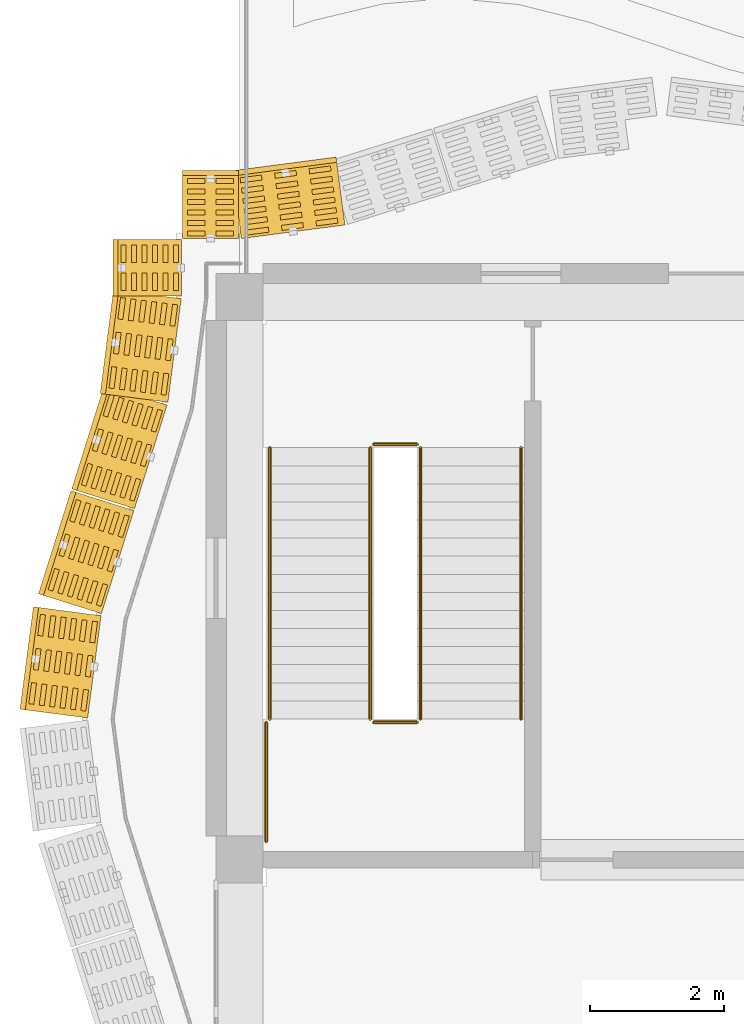
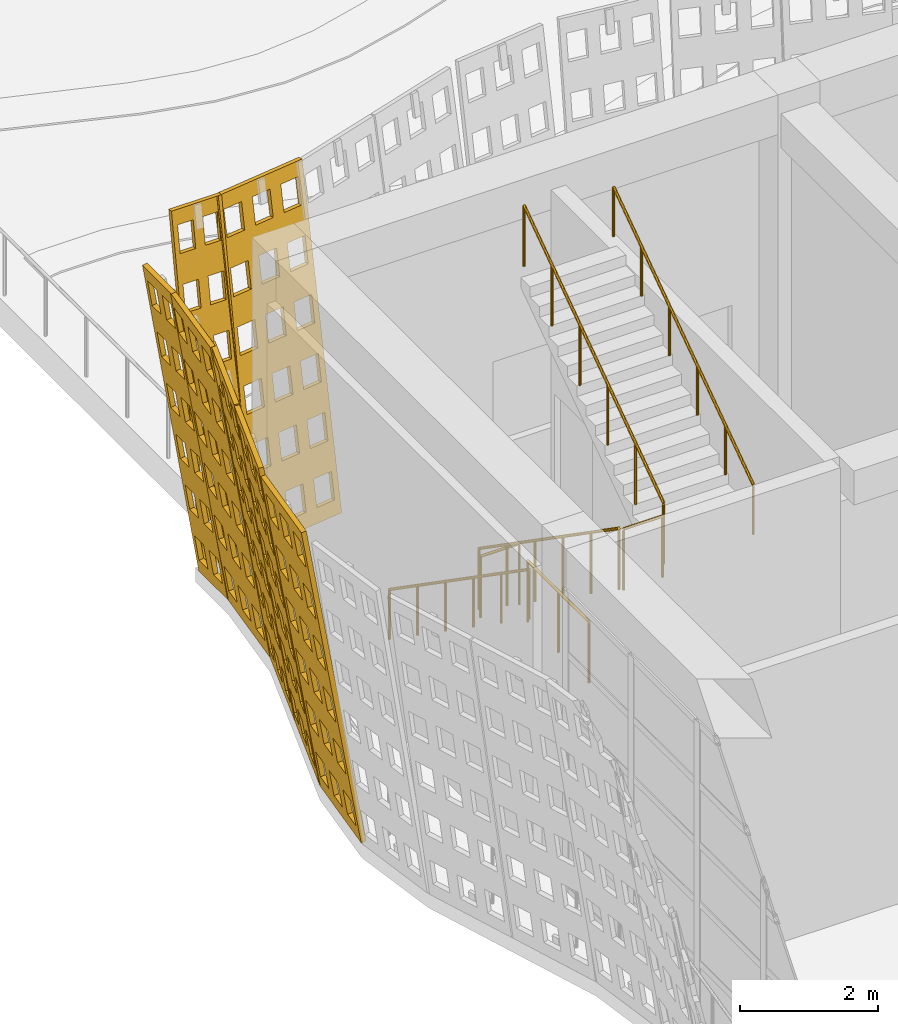
# One storey, part 158 of 210: 7 coverings, 7 railings.
"""IFC4 building model written with IfcOpenShell, lengths in metres."""

from ifc_helpers import new_model, si_unit, direction, frame, origin, origin_2d, place, context, subcontext, project, spatial, polyline, circle, outline, extrude, material, layer, layer_set, type_object, element, save


model = new_model("IFC4")

# Units and contexts
model_context = context("Model", 3, precision=1e-05, world=origin(), true_north=direction((0.0, 1.0)))
body_context = subcontext(model_context, "Body", "Model", "MODEL_VIEW")
ifc_project = project(units=[si_unit("LENGTHUNIT", "METRE"), si_unit("AREAUNIT", "SQUARE_METRE"), si_unit("VOLUMEUNIT", "CUBIC_METRE"), si_unit("PLANEANGLEUNIT", "RADIAN"), si_unit("MASSUNIT", "GRAM", prefix="KILO")], contexts=[model_context])

# Site, building, storey
site_placement = place(None, origin())
site = spatial("IfcSite", under=ifc_project, at=site_placement, CompositionType="ELEMENT")
building_placement = place(site_placement, origin())
building = spatial("IfcBuilding", under=site, at=building_placement, Name="Rain Tree Exposition and Congress Centre", CompositionType="ELEMENT")
storey_placement = place(building_placement, origin())
storey = spatial("IfcBuildingStorey", under=building, at=storey_placement, Name="L00", CompositionType="ELEMENT", Elevation=0.0)

# Coverings
ifc_material_1 = material(Name="Perforated terracotta", Category="masonry")
ifc_layer = layer(ifc_material_1, 0.080078125)
ifc_layer_set = layer_set([ifc_layer], Name="Perforated terracotta")
covering_type = type_object("IfcCoveringType", Name="Terracotta screen 80", PredefinedType="CLADDING", material=ifc_layer_set)
covering_1_placement = place(storey_placement, frame((1.574951171875, 51.554931640625, 0.0), z_axis=(0.12841394929, -0.978391994594, 0.162046174105), x_axis=(0.991496427865, 0.130133906157, 0.0)))
element("IfcCovering", 1, at=covering_1_placement, inside=storey, type_object=covering_type, Name="wing/screen/L00/100", PredefinedType="CLADDING", context=body_context, shape_type="SweptSolid", body=[
    extrude(outline(polyline([(-0.014892578125, 5.813720703125), (-0.014892578125, 0.0), (-1.5732421875, 0.0), (-1.5732421875, 5.813720703125), (-0.014892578125, 5.813720703125)]), holes=[polyline([(-0.11376953125, 0.25), (-0.11376953125, 0.718994140625), (-0.435791015625, 0.718994140625), (-0.435791015625, 0.25), (-0.11376953125, 0.25)]), polyline([(-0.11376953125, 1.218994140625), (-0.11376953125, 1.687744140625), (-0.435791015625, 1.687744140625), (-0.435791015625, 1.218994140625), (-0.11376953125, 1.218994140625)]), polyline([(-0.11376953125, 2.18798828125), (-0.11376953125, 2.65673828125), (-0.435791015625, 2.65673828125), (-0.435791015625, 2.18798828125), (-0.11376953125, 2.18798828125)]), polyline([(-0.11376953125, 3.15673828125), (-0.11376953125, 3.625732421875), (-0.435791015625, 3.625732421875), (-0.435791015625, 3.15673828125), (-0.11376953125, 3.15673828125)]), polyline([(-0.11376953125, 4.125732421875), (-0.11376953125, 4.594482421875), (-0.435791015625, 4.594482421875), (-0.435791015625, 4.125732421875), (-0.11376953125, 4.125732421875)]), polyline([(-0.11376953125, 5.0947265625), (-0.11376953125, 5.5634765625), (-0.435791015625, 5.5634765625), (-0.435791015625, 5.0947265625), (-0.11376953125, 5.0947265625)]), polyline([(-0.633056640625, 0.25), (-0.633056640625, 0.718994140625), (-0.955078125, 0.718994140625), (-0.955078125, 0.25), (-0.633056640625, 0.25)]), polyline([(-0.633056640625, 1.218994140625), (-0.633056640625, 1.687744140625), (-0.955078125, 1.687744140625), (-0.955078125, 1.218994140625), (-0.633056640625, 1.218994140625)]), polyline([(-0.633056640625, 2.18798828125), (-0.633056640625, 2.65673828125), (-0.955078125, 2.65673828125), (-0.955078125, 2.18798828125), (-0.633056640625, 2.18798828125)]), polyline([(-0.633056640625, 3.15673828125), (-0.633056640625, 3.625732421875), (-0.955078125, 3.625732421875), (-0.955078125, 3.15673828125), (-0.633056640625, 3.15673828125)]), polyline([(-0.633056640625, 4.125732421875), (-0.633056640625, 4.594482421875), (-0.955078125, 4.594482421875), (-0.955078125, 4.125732421875), (-0.633056640625, 4.125732421875)]), polyline([(-0.633056640625, 5.0947265625), (-0.633056640625, 5.5634765625), (-0.955078125, 5.5634765625), (-0.955078125, 5.0947265625), (-0.633056640625, 5.0947265625)]), polyline([(-1.152587890625, 0.25), (-1.152587890625, 0.718994140625), (-1.474609375, 0.718994140625), (-1.474609375, 0.25), (-1.152587890625, 0.25)]), polyline([(-1.152587890625, 1.218994140625), (-1.152587890625, 1.687744140625), (-1.474609375, 1.687744140625), (-1.474609375, 1.218994140625), (-1.152587890625, 1.218994140625)]), polyline([(-1.152587890625, 2.18798828125), (-1.152587890625, 2.65673828125), (-1.474609375, 2.65673828125), (-1.474609375, 2.18798828125), (-1.152587890625, 2.18798828125)]), polyline([(-1.152587890625, 3.15673828125), (-1.152587890625, 3.625732421875), (-1.474609375, 3.625732421875), (-1.474609375, 3.15673828125), (-1.152587890625, 3.15673828125)]), polyline([(-1.152587890625, 4.125732421875), (-1.152587890625, 4.594482421875), (-1.474609375, 4.594482421875), (-1.474609375, 4.125732421875), (-1.152587890625, 4.125732421875)]), polyline([(-1.152587890625, 5.0947265625), (-1.152587890625, 5.5634765625), (-1.474609375, 5.5634765625), (-1.474609375, 5.0947265625), (-1.152587890625, 5.0947265625)])]), origin(), (0.0, 0.0, 1.0), 0.079833984375),
])
covering_2_placement = place(storey_placement, frame((0.0, 51.35009765625, 0.0), z_axis=(0.0, -0.986883407383, 0.161434631455), x_axis=(1.0, 0.0, 0.0)))
element("IfcCovering", 2, at=covering_2_placement, inside=storey, type_object=covering_type, Name="wing/screen/L00/101", PredefinedType="CLADDING", context=body_context, shape_type="SweptSolid", body=[
    extrude(outline(polyline([(-0.014892578125, 5.814697265625), (-0.014892578125, 0.0), (-0.85498046875, 0.0), (-0.85498046875, 5.814697265625), (-0.014892578125, 5.814697265625)]), holes=[polyline([(-0.0947265625, 0.25), (-0.0947265625, 0.718994140625), (-0.355224609375, 0.718994140625), (-0.355224609375, 0.25), (-0.0947265625, 0.25)]), polyline([(-0.0947265625, 1.21923828125), (-0.0947265625, 1.688232421875), (-0.355224609375, 1.688232421875), (-0.355224609375, 1.21923828125), (-0.0947265625, 1.21923828125)]), polyline([(-0.0947265625, 2.1884765625), (-0.0947265625, 2.6572265625), (-0.355224609375, 2.6572265625), (-0.355224609375, 2.1884765625), (-0.0947265625, 2.1884765625)]), polyline([(-0.0947265625, 3.157470703125), (-0.0947265625, 3.62646484375), (-0.355224609375, 3.62646484375), (-0.355224609375, 3.157470703125), (-0.0947265625, 3.157470703125)]), polyline([(-0.0947265625, 4.126708984375), (-0.0947265625, 4.595458984375), (-0.355224609375, 4.595458984375), (-0.355224609375, 4.126708984375), (-0.0947265625, 4.126708984375)]), polyline([(-0.0947265625, 5.095703125), (-0.0947265625, 5.564697265625), (-0.355224609375, 5.564697265625), (-0.355224609375, 5.095703125), (-0.0947265625, 5.095703125)]), polyline([(-0.514892578125, 0.25), (-0.514892578125, 0.718994140625), (-0.775146484375, 0.718994140625), (-0.775146484375, 0.25), (-0.514892578125, 0.25)]), polyline([(-0.514892578125, 1.21923828125), (-0.514892578125, 1.688232421875), (-0.775146484375, 1.688232421875), (-0.775146484375, 1.21923828125), (-0.514892578125, 1.21923828125)]), polyline([(-0.514892578125, 2.1884765625), (-0.514892578125, 2.6572265625), (-0.775146484375, 2.6572265625), (-0.775146484375, 2.1884765625), (-0.514892578125, 2.1884765625)]), polyline([(-0.514892578125, 3.157470703125), (-0.514892578125, 3.62646484375), (-0.775146484375, 3.62646484375), (-0.775146484375, 3.157470703125), (-0.514892578125, 3.157470703125)]), polyline([(-0.514892578125, 4.126708984375), (-0.514892578125, 4.595458984375), (-0.775146484375, 4.595458984375), (-0.775146484375, 4.126708984375), (-0.514892578125, 4.126708984375)]), polyline([(-0.514892578125, 5.095703125), (-0.514892578125, 5.564697265625), (-0.775146484375, 5.564697265625), (-0.775146484375, 5.095703125), (-0.514892578125, 5.095703125)])]), origin(), (0.0, 0.0, 1.0), 0.080078125),
])
covering_3_placement = place(storey_placement, frame((-0.949951171875, 51.35009765625, 0.0), z_axis=(0.98680366745, 0.0, 0.161921344814), x_axis=(0.0, 1.0, 0.0)))
element("IfcCovering", 3, at=covering_3_placement, inside=storey, type_object=covering_type, Name="wing/screen/L00/102", PredefinedType="CLADDING", context=body_context, shape_type="SweptSolid", body=[
    extrude(outline(polyline([(-0.93505859375, 0.0), (-0.93505859375, 5.814697265625), (-0.094970703125, 5.814697265625), (-0.094970703125, 0.0), (-0.93505859375, 0.0)]), holes=[polyline([(-0.1748046875, 0.25), (-0.1748046875, 0.718994140625), (-0.435302734375, 0.718994140625), (-0.435302734375, 0.25), (-0.1748046875, 0.25)]), polyline([(-0.1748046875, 1.21923828125), (-0.1748046875, 1.688232421875), (-0.435302734375, 1.688232421875), (-0.435302734375, 1.21923828125), (-0.1748046875, 1.21923828125)]), polyline([(-0.1748046875, 2.1884765625), (-0.1748046875, 2.6572265625), (-0.435302734375, 2.6572265625), (-0.435302734375, 2.1884765625), (-0.1748046875, 2.1884765625)]), polyline([(-0.1748046875, 3.157470703125), (-0.1748046875, 3.62646484375), (-0.435302734375, 3.62646484375), (-0.435302734375, 3.157470703125), (-0.1748046875, 3.157470703125)]), polyline([(-0.1748046875, 4.126708984375), (-0.1748046875, 4.595458984375), (-0.435302734375, 4.595458984375), (-0.435302734375, 4.126708984375), (-0.1748046875, 4.126708984375)]), polyline([(-0.1748046875, 5.095703125), (-0.1748046875, 5.564697265625), (-0.435302734375, 5.564697265625), (-0.435302734375, 5.095703125), (-0.1748046875, 5.095703125)]), polyline([(-0.5947265625, 0.25), (-0.5947265625, 0.718994140625), (-0.855224609375, 0.718994140625), (-0.855224609375, 0.25), (-0.5947265625, 0.25)]), polyline([(-0.5947265625, 1.21923828125), (-0.5947265625, 1.688232421875), (-0.855224609375, 1.688232421875), (-0.855224609375, 1.21923828125), (-0.5947265625, 1.21923828125)]), polyline([(-0.5947265625, 2.1884765625), (-0.5947265625, 2.6572265625), (-0.855224609375, 2.6572265625), (-0.855224609375, 2.1884765625), (-0.5947265625, 2.1884765625)]), polyline([(-0.5947265625, 3.157470703125), (-0.5947265625, 3.62646484375), (-0.855224609375, 3.62646484375), (-0.855224609375, 3.157470703125), (-0.5947265625, 3.157470703125)]), polyline([(-0.5947265625, 4.126708984375), (-0.5947265625, 4.595458984375), (-0.855224609375, 4.595458984375), (-0.855224609375, 4.126708984375), (-0.5947265625, 4.126708984375)]), polyline([(-0.5947265625, 5.095703125), (-0.5947265625, 5.564697265625), (-0.855224609375, 5.564697265625), (-0.855224609375, 5.095703125), (-0.5947265625, 5.095703125)])]), origin(), (0.0, 0.0, 1.0), 0.079833984375),
])
covering_4_placement = place(storey_placement, frame((-0.949951171875, 50.39990234375, 0.0), z_axis=(0.978899688033, -0.125030801275, 0.161625182136), x_axis=(0.126696580272, 0.991941518713, 0.0)))
element("IfcCovering", 4, at=covering_4_placement, inside=storey, type_object=covering_type, Name="wing/screen/L00/103", PredefinedType="CLADDING", context=body_context, shape_type="SweptSolid", body=[
    extrude(outline(polyline([(-1.5732421875, 0.0), (-1.5732421875, 5.813720703125), (-0.014892578125, 5.813720703125), (-0.014892578125, 0.0), (-1.5732421875, 0.0)]), holes=[polyline([(-0.11376953125, 0.25), (-0.11376953125, 0.718994140625), (-0.435791015625, 0.718994140625), (-0.435791015625, 0.25), (-0.11376953125, 0.25)]), polyline([(-0.11376953125, 1.218994140625), (-0.11376953125, 1.687744140625), (-0.435791015625, 1.687744140625), (-0.435791015625, 1.218994140625), (-0.11376953125, 1.218994140625)]), polyline([(-0.11376953125, 2.18798828125), (-0.11376953125, 2.65673828125), (-0.435791015625, 2.65673828125), (-0.435791015625, 2.18798828125), (-0.11376953125, 2.18798828125)]), polyline([(-0.11376953125, 3.15673828125), (-0.11376953125, 3.625732421875), (-0.435791015625, 3.625732421875), (-0.435791015625, 3.15673828125), (-0.11376953125, 3.15673828125)]), polyline([(-0.11376953125, 4.125732421875), (-0.11376953125, 4.594482421875), (-0.435791015625, 4.594482421875), (-0.435791015625, 4.125732421875), (-0.11376953125, 4.125732421875)]), polyline([(-0.11376953125, 5.0947265625), (-0.11376953125, 5.5634765625), (-0.435791015625, 5.5634765625), (-0.435791015625, 5.0947265625), (-0.11376953125, 5.0947265625)]), polyline([(-0.633056640625, 0.25), (-0.633056640625, 0.718994140625), (-0.955078125, 0.718994140625), (-0.955078125, 0.25), (-0.633056640625, 0.25)]), polyline([(-0.633056640625, 1.218994140625), (-0.633056640625, 1.687744140625), (-0.955078125, 1.687744140625), (-0.955078125, 1.218994140625), (-0.633056640625, 1.218994140625)]), polyline([(-0.633056640625, 2.18798828125), (-0.633056640625, 2.65673828125), (-0.955078125, 2.65673828125), (-0.955078125, 2.18798828125), (-0.633056640625, 2.18798828125)]), polyline([(-0.633056640625, 3.15673828125), (-0.633056640625, 3.625732421875), (-0.955078125, 3.625732421875), (-0.955078125, 3.15673828125), (-0.633056640625, 3.15673828125)]), polyline([(-0.633056640625, 4.125732421875), (-0.633056640625, 4.594482421875), (-0.955078125, 4.594482421875), (-0.955078125, 4.125732421875), (-0.633056640625, 4.125732421875)]), polyline([(-0.633056640625, 5.0947265625), (-0.633056640625, 5.5634765625), (-0.955078125, 5.5634765625), (-0.955078125, 5.0947265625), (-0.633056640625, 5.0947265625)]), polyline([(-1.152587890625, 0.25), (-1.152587890625, 0.718994140625), (-1.474609375, 0.718994140625), (-1.474609375, 0.25), (-1.152587890625, 0.25)]), polyline([(-1.152587890625, 1.218994140625), (-1.152587890625, 1.687744140625), (-1.474609375, 1.687744140625), (-1.474609375, 1.218994140625), (-1.152587890625, 1.218994140625)]), polyline([(-1.152587890625, 2.18798828125), (-1.152587890625, 2.65673828125), (-1.474609375, 2.65673828125), (-1.474609375, 2.18798828125), (-1.152587890625, 2.18798828125)]), polyline([(-1.152587890625, 3.15673828125), (-1.152587890625, 3.625732421875), (-1.474609375, 3.625732421875), (-1.474609375, 3.15673828125), (-1.152587890625, 3.15673828125)]), polyline([(-1.152587890625, 4.125732421875), (-1.152587890625, 4.594482421875), (-1.474609375, 4.594482421875), (-1.474609375, 4.125732421875), (-1.152587890625, 4.125732421875)]), polyline([(-1.152587890625, 5.0947265625), (-1.152587890625, 5.5634765625), (-1.474609375, 5.5634765625), (-1.474609375, 5.0947265625), (-1.152587890625, 5.0947265625)])]), origin(), (0.0, 0.0, 1.0), 0.080078125),
])
covering_5_placement = place(storey_placement, frame((-1.155029296875, 48.824951171875, 0.0), z_axis=(0.942480618158, -0.295859611525, 0.155555053482), x_axis=(0.29950542383, 0.954094597562, 0.0)))
element("IfcCovering", 5, at=covering_5_placement, inside=storey, type_object=covering_type, Name="wing/screen/L00/104", PredefinedType="CLADDING", context=body_context, shape_type="SweptSolid", body=[
    extrude(outline(polyline([(-1.635986328125, 0.0), (-1.635986328125, 5.808349609375), (-0.014892578125, 5.808349609375), (-0.014892578125, 0.0), (-1.635986328125, 0.0)]), holes=[polyline([(-0.11767578125, 0.249755859375), (-0.11767578125, 0.71826171875), (-0.45263671875, 0.71826171875), (-0.45263671875, 0.249755859375), (-0.11767578125, 0.249755859375)]), polyline([(-0.11767578125, 1.218017578125), (-0.11767578125, 1.686279296875), (-0.45263671875, 1.686279296875), (-0.45263671875, 1.218017578125), (-0.11767578125, 1.218017578125)]), polyline([(-0.11767578125, 2.18603515625), (-0.11767578125, 2.654296875), (-0.45263671875, 2.654296875), (-0.45263671875, 2.18603515625), (-0.11767578125, 2.18603515625)]), polyline([(-0.11767578125, 3.154052734375), (-0.11767578125, 3.62255859375), (-0.45263671875, 3.62255859375), (-0.45263671875, 3.154052734375), (-0.11767578125, 3.154052734375)]), polyline([(-0.11767578125, 4.1220703125), (-0.11767578125, 4.590576171875), (-0.45263671875, 4.590576171875), (-0.45263671875, 4.1220703125), (-0.11767578125, 4.1220703125)]), polyline([(-0.11767578125, 5.090087890625), (-0.11767578125, 5.55859375), (-0.45263671875, 5.55859375), (-0.45263671875, 5.090087890625), (-0.11767578125, 5.090087890625)]), polyline([(-0.657958984375, 0.249755859375), (-0.657958984375, 0.71826171875), (-0.992919921875, 0.71826171875), (-0.992919921875, 0.249755859375), (-0.657958984375, 0.249755859375)]), polyline([(-0.657958984375, 1.218017578125), (-0.657958984375, 1.686279296875), (-0.992919921875, 1.686279296875), (-0.992919921875, 1.218017578125), (-0.657958984375, 1.218017578125)]), polyline([(-0.657958984375, 2.18603515625), (-0.657958984375, 2.654296875), (-0.992919921875, 2.654296875), (-0.992919921875, 2.18603515625), (-0.657958984375, 2.18603515625)]), polyline([(-0.657958984375, 3.154052734375), (-0.657958984375, 3.62255859375), (-0.992919921875, 3.62255859375), (-0.992919921875, 3.154052734375), (-0.657958984375, 3.154052734375)]), polyline([(-0.657958984375, 4.1220703125), (-0.657958984375, 4.590576171875), (-0.992919921875, 4.590576171875), (-0.992919921875, 4.1220703125), (-0.657958984375, 4.1220703125)]), polyline([(-0.657958984375, 5.090087890625), (-0.657958984375, 5.55859375), (-0.992919921875, 5.55859375), (-0.992919921875, 5.090087890625), (-0.657958984375, 5.090087890625)]), polyline([(-1.1982421875, 0.249755859375), (-1.1982421875, 0.71826171875), (-1.533203125, 0.71826171875), (-1.533203125, 0.249755859375), (-1.1982421875, 0.249755859375)]), polyline([(-1.1982421875, 1.218017578125), (-1.1982421875, 1.686279296875), (-1.533203125, 1.686279296875), (-1.533203125, 1.218017578125), (-1.1982421875, 1.218017578125)]), polyline([(-1.1982421875, 2.18603515625), (-1.1982421875, 2.654296875), (-1.533203125, 2.654296875), (-1.533203125, 2.18603515625), (-1.1982421875, 2.18603515625)]), polyline([(-1.1982421875, 3.154052734375), (-1.1982421875, 3.62255859375), (-1.533203125, 3.62255859375), (-1.533203125, 3.154052734375), (-1.1982421875, 3.154052734375)]), polyline([(-1.1982421875, 4.1220703125), (-1.1982421875, 4.590576171875), (-1.533203125, 4.590576171875), (-1.533203125, 4.1220703125), (-1.1982421875, 4.1220703125)]), polyline([(-1.1982421875, 5.090087890625), (-1.1982421875, 5.55859375), (-1.533203125, 5.55859375), (-1.533203125, 5.090087890625), (-1.1982421875, 5.090087890625)])]), origin(), (0.0, 0.0, 1.0), 0.080078125),
])
covering_6_placement = place(storey_placement, frame((-1.64990234375, 47.25, 0.0), z_axis=(0.94213835477, -0.296712403937, 0.156003428874), x_axis=(0.300390227601, 0.953816392794, 0.0)))
element("IfcCovering", 6, at=covering_6_placement, inside=storey, type_object=covering_type, Name="wing/screen/L00/105", PredefinedType="CLADDING", context=body_context, shape_type="SweptSolid", body=[
    extrude(outline(polyline([(-1.62890625, 0.0), (-1.62890625, 5.808349609375), (-0.014892578125, 5.808349609375), (-0.014892578125, 0.0), (-1.62890625, 0.0)]), holes=[polyline([(-0.1171875, 0.249755859375), (-0.1171875, 0.71826171875), (-0.45068359375, 0.71826171875), (-0.45068359375, 0.249755859375), (-0.1171875, 0.249755859375)]), polyline([(-0.1171875, 1.218017578125), (-0.1171875, 1.686279296875), (-0.45068359375, 1.686279296875), (-0.45068359375, 1.218017578125), (-0.1171875, 1.218017578125)]), polyline([(-0.1171875, 2.18603515625), (-0.1171875, 2.654296875), (-0.45068359375, 2.654296875), (-0.45068359375, 2.18603515625), (-0.1171875, 2.18603515625)]), polyline([(-0.1171875, 3.154052734375), (-0.1171875, 3.62255859375), (-0.45068359375, 3.62255859375), (-0.45068359375, 3.154052734375), (-0.1171875, 3.154052734375)]), polyline([(-0.1171875, 4.1220703125), (-0.1171875, 4.590576171875), (-0.45068359375, 4.590576171875), (-0.45068359375, 4.1220703125), (-0.1171875, 4.1220703125)]), polyline([(-0.1171875, 5.090087890625), (-0.1171875, 5.55859375), (-0.45068359375, 5.55859375), (-0.45068359375, 5.090087890625), (-0.1171875, 5.090087890625)]), polyline([(-0.6552734375, 0.249755859375), (-0.6552734375, 0.71826171875), (-0.98876953125, 0.71826171875), (-0.98876953125, 0.249755859375), (-0.6552734375, 0.249755859375)]), polyline([(-0.6552734375, 1.218017578125), (-0.6552734375, 1.686279296875), (-0.98876953125, 1.686279296875), (-0.98876953125, 1.218017578125), (-0.6552734375, 1.218017578125)]), polyline([(-0.6552734375, 2.18603515625), (-0.6552734375, 2.654296875), (-0.98876953125, 2.654296875), (-0.98876953125, 2.18603515625), (-0.6552734375, 2.18603515625)]), polyline([(-0.6552734375, 3.154052734375), (-0.6552734375, 3.62255859375), (-0.98876953125, 3.62255859375), (-0.98876953125, 3.154052734375), (-0.6552734375, 3.154052734375)]), polyline([(-0.6552734375, 4.1220703125), (-0.6552734375, 4.590576171875), (-0.98876953125, 4.590576171875), (-0.98876953125, 4.1220703125), (-0.6552734375, 4.1220703125)]), polyline([(-0.6552734375, 5.090087890625), (-0.6552734375, 5.55859375), (-0.98876953125, 5.55859375), (-0.98876953125, 5.090087890625), (-0.6552734375, 5.090087890625)]), polyline([(-1.193115234375, 0.249755859375), (-1.193115234375, 0.71826171875), (-1.526611328125, 0.71826171875), (-1.526611328125, 0.249755859375), (-1.193115234375, 0.249755859375)]), polyline([(-1.193115234375, 1.218017578125), (-1.193115234375, 1.686279296875), (-1.526611328125, 1.686279296875), (-1.526611328125, 1.218017578125), (-1.193115234375, 1.218017578125)]), polyline([(-1.193115234375, 2.18603515625), (-1.193115234375, 2.654296875), (-1.526611328125, 2.654296875), (-1.526611328125, 2.18603515625), (-1.193115234375, 2.18603515625)]), polyline([(-1.193115234375, 3.154052734375), (-1.193115234375, 3.62255859375), (-1.526611328125, 3.62255859375), (-1.526611328125, 3.154052734375), (-1.193115234375, 3.154052734375)]), polyline([(-1.193115234375, 4.1220703125), (-1.193115234375, 4.590576171875), (-1.526611328125, 4.590576171875), (-1.526611328125, 4.1220703125), (-1.193115234375, 4.1220703125)]), polyline([(-1.193115234375, 5.090087890625), (-1.193115234375, 5.55859375), (-1.526611328125, 5.55859375), (-1.526611328125, 5.090087890625), (-1.193115234375, 5.090087890625)])]), origin(), (0.0, 0.0, 1.0), 0.079833984375),
])
covering_7_placement = place(storey_placement, frame((-2.14501953125, 45.675048828125, 0.0), z_axis=(0.978522114732, -0.1280309309, 0.161562841373), x_axis=(0.129735338481, 0.991548658387, 0.0)))
element("IfcCovering", 7, at=covering_7_placement, inside=storey, type_object=covering_type, Name="wing/screen/L00/106", PredefinedType="CLADDING", context=body_context, shape_type="SweptSolid", body=[
    extrude(outline(polyline([(-1.56298828125, 0.0), (-1.56298828125, 5.813720703125), (-0.02197265625, 5.813720703125), (-0.02197265625, 0.0), (-1.56298828125, 0.0)]), holes=[polyline([(-0.11962890625, 0.25), (-0.11962890625, 0.718994140625), (-0.43798828125, 0.718994140625), (-0.43798828125, 0.25), (-0.11962890625, 0.25)]), polyline([(-0.11962890625, 1.218994140625), (-0.11962890625, 1.687744140625), (-0.43798828125, 1.687744140625), (-0.43798828125, 1.218994140625), (-0.11962890625, 1.218994140625)]), polyline([(-0.11962890625, 2.18798828125), (-0.11962890625, 2.65673828125), (-0.43798828125, 2.65673828125), (-0.43798828125, 2.18798828125), (-0.11962890625, 2.18798828125)]), polyline([(-0.11962890625, 3.15673828125), (-0.11962890625, 3.625732421875), (-0.43798828125, 3.625732421875), (-0.43798828125, 3.15673828125), (-0.11962890625, 3.15673828125)]), polyline([(-0.11962890625, 4.125732421875), (-0.11962890625, 4.594482421875), (-0.43798828125, 4.594482421875), (-0.43798828125, 4.125732421875), (-0.11962890625, 4.125732421875)]), polyline([(-0.11962890625, 5.0947265625), (-0.11962890625, 5.5634765625), (-0.43798828125, 5.5634765625), (-0.43798828125, 5.0947265625), (-0.11962890625, 5.0947265625)]), polyline([(-0.63330078125, 0.25), (-0.63330078125, 0.718994140625), (-0.95166015625, 0.718994140625), (-0.95166015625, 0.25), (-0.63330078125, 0.25)]), polyline([(-0.63330078125, 1.218994140625), (-0.63330078125, 1.687744140625), (-0.95166015625, 1.687744140625), (-0.95166015625, 1.218994140625), (-0.63330078125, 1.218994140625)]), polyline([(-0.63330078125, 2.18798828125), (-0.63330078125, 2.65673828125), (-0.95166015625, 2.65673828125), (-0.95166015625, 2.18798828125), (-0.63330078125, 2.18798828125)]), polyline([(-0.63330078125, 3.15673828125), (-0.63330078125, 3.625732421875), (-0.95166015625, 3.625732421875), (-0.95166015625, 3.15673828125), (-0.63330078125, 3.15673828125)]), polyline([(-0.63330078125, 4.125732421875), (-0.63330078125, 4.594482421875), (-0.95166015625, 4.594482421875), (-0.95166015625, 4.125732421875), (-0.63330078125, 4.125732421875)]), polyline([(-0.63330078125, 5.0947265625), (-0.63330078125, 5.5634765625), (-0.95166015625, 5.5634765625), (-0.95166015625, 5.0947265625), (-0.63330078125, 5.0947265625)]), polyline([(-1.146728515625, 0.25), (-1.146728515625, 0.718994140625), (-1.46533203125, 0.718994140625), (-1.46533203125, 0.25), (-1.146728515625, 0.25)]), polyline([(-1.146728515625, 1.218994140625), (-1.146728515625, 1.687744140625), (-1.46533203125, 1.687744140625), (-1.46533203125, 1.218994140625), (-1.146728515625, 1.218994140625)]), polyline([(-1.146728515625, 2.18798828125), (-1.146728515625, 2.65673828125), (-1.46533203125, 2.65673828125), (-1.46533203125, 2.18798828125), (-1.146728515625, 2.18798828125)]), polyline([(-1.146728515625, 3.15673828125), (-1.146728515625, 3.625732421875), (-1.46533203125, 3.625732421875), (-1.46533203125, 3.15673828125), (-1.146728515625, 3.15673828125)]), polyline([(-1.146728515625, 4.125732421875), (-1.146728515625, 4.594482421875), (-1.46533203125, 4.594482421875), (-1.46533203125, 4.125732421875), (-1.146728515625, 4.125732421875)]), polyline([(-1.146728515625, 5.0947265625), (-1.146728515625, 5.5634765625), (-1.46533203125, 5.5634765625), (-1.46533203125, 5.0947265625), (-1.146728515625, 5.0947265625)])]), origin(), (0.0, 0.0, 1.0), 0.080078125),
])

# Railings
ifc_material_2 = material(Name="Steel S355J2H", Category="steel")
railing_type_1 = type_object("IfcRailingType", Name="Wing stair guard 1100", PredefinedType="GUARDRAIL", material=ifc_material_2)
railing_1_placement = place(storey_placement, frame((1.949951171875, 48.14990234375, 0.1875)))
element("IfcRailing", 8, at=railing_1_placement, inside=storey, type_object=railing_type_1, Name="L00 ST-W3 stair guard 1", PredefinedType="GUARDRAIL", context=body_context, shape_type="SweptSolid", body=[
    extrude(circle(Radius=0.02392578125, at=origin_2d()), frame((0.0, 0.0, 1.076171875), z_axis=(0.0, -0.821357077609, 0.57041436786), x_axis=(1.0, 0.0, 0.0)), (0.0, 0.0, 1.0), 4.9306640625),
    extrude(circle(Radius=0.02099609375, at=origin_2d()), origin(), (0.0, 0.0, 1.0), 1.052001953125),
    extrude(circle(Radius=0.02099609375, at=origin_2d()), frame((0.0, -0.81005859375, 0.5625)), (0.0, 0.0, 1.0), 1.052001953125),
    extrude(circle(Radius=0.02099609375, at=origin_2d()), frame((0.0, -1.619873046875, 1.125)), (0.0, 0.0, 1.0), 1.052001953125),
    extrude(circle(Radius=0.02099609375, at=origin_2d()), frame((0.0, -2.429931640625, 1.6875)), (0.0, 0.0, 1.0), 1.052001953125),
    extrude(circle(Radius=0.02099609375, at=origin_2d()), frame((0.0, -3.23974609375, 2.25)), (0.0, 0.0, 1.0), 1.052001953125),
    extrude(circle(Radius=0.02099609375, at=origin_2d()), frame((0.0, -4.0498046875, 2.8125)), (0.0, 0.0, 1.0), 1.052001953125),
])
railing_2_placement = place(storey_placement, frame((2.0, 44.050048828125, 3.0)))
element("IfcRailing", 9, at=railing_2_placement, inside=storey, type_object=railing_type_1, Name="L00 ST-W3 stair guard 2", PredefinedType="GUARDRAIL", context=body_context, shape_type="SweptSolid", body=[
    extrude(circle(Radius=0.02392578125, at=origin_2d()), frame((0.0, 0.0, 1.076171875), z_axis=(1.0, 0.0, 0.0), x_axis=(0.0, 1.0, 0.0)), (0.0, 0.0, 1.0), 0.64990234375),
    extrude(circle(Radius=0.02099609375, at=origin_2d()), origin(), (0.0, 0.0, 1.0), 1.052001953125),
    extrude(circle(Radius=0.02099609375, at=origin_2d()), frame((0.64990234375, 0.0, 0.0)), (0.0, 0.0, 1.0), 1.052001953125),
])
railing_3_placement = place(storey_placement, frame((2.699951171875, 44.10009765625, 3.1875)))
element("IfcRailing", 10, at=railing_3_placement, inside=storey, type_object=railing_type_1, Name="L00 ST-W3 stair guard 3", PredefinedType="GUARDRAIL", context=body_context, shape_type="SweptSolid", body=[
    extrude(circle(Radius=0.02392578125, at=origin_2d()), frame((0.0, 0.0, 1.076171875), z_axis=(0.0, 0.821357077609, 0.57041436786), x_axis=(-1.0, 0.0, 0.0)), (0.0, 0.0, 1.0), 4.9306640625),
    extrude(circle(Radius=0.02099609375, at=origin_2d()), origin(), (0.0, 0.0, 1.0), 1.052001953125),
    extrude(circle(Radius=0.02099609375, at=origin_2d()), frame((0.0, 0.81005859375, 0.5625)), (0.0, 0.0, 1.0), 1.052001953125),
    extrude(circle(Radius=0.02099609375, at=origin_2d()), frame((0.0, 1.619873046875, 1.125)), (0.0, 0.0, 1.0), 1.052001953125),
    extrude(circle(Radius=0.02099609375, at=origin_2d()), frame((0.0, 2.429931640625, 1.6875)), (0.0, 0.0, 1.0), 1.052001953125),
    extrude(circle(Radius=0.02099609375, at=origin_2d()), frame((0.0, 3.23974609375, 2.25)), (0.0, 0.0, 1.0), 1.052001953125),
    extrude(circle(Radius=0.02099609375, at=origin_2d()), frame((0.0, 4.0498046875, 2.8125)), (0.0, 0.0, 1.0), 1.052001953125),
])
railing_4_placement = place(storey_placement, frame((2.0, 48.199951171875, 0.0)))
element("IfcRailing", 11, at=railing_4_placement, inside=storey, type_object=railing_type_1, Name="L00 ST-W3 stair guard 4", PredefinedType="GUARDRAIL", context=body_context, shape_type="SweptSolid", body=[
    extrude(circle(Radius=0.02392578125, at=origin_2d()), frame((0.0, 0.0, 1.076171875), z_axis=(1.0, 0.0, 0.0), x_axis=(0.0, 1.0, 0.0)), (0.0, 0.0, 1.0), 0.64990234375),
    extrude(circle(Radius=0.02099609375, at=origin_2d()), origin(), (0.0, 0.0, 1.0), 1.052001953125),
    extrude(circle(Radius=0.02099609375, at=origin_2d()), frame((0.64990234375, 0.0, 0.0)), (0.0, 0.0, 1.0), 1.052001953125),
])
railing_5_placement = place(storey_placement, frame((0.39697265625, 44.050048828125, 3.0)))
element("IfcRailing", 12, at=railing_5_placement, inside=storey, type_object=railing_type_1, Name="wing/stair/ST-W3-L00-LG1", PredefinedType="GUARDRAIL", context=body_context, shape_type="SweptSolid", body=[
    extrude(circle(Radius=0.02392578125, at=origin_2d()), frame((0.0, 0.0, 1.076171875), z_axis=(0.0, -1.0, 0.0), x_axis=(1.0, 0.0, 0.0)), (0.0, 0.0, 1.0), 1.778076171875),
    extrude(circle(Radius=0.02099609375, at=origin_2d()), origin(), (0.0, 0.0, 1.0), 1.052001953125),
    extrude(circle(Radius=0.02099609375, at=origin_2d()), frame((0.0, -0.88916015625, 0.0)), (0.0, 0.0, 1.0), 1.052001953125),
    extrude(circle(Radius=0.02099609375, at=origin_2d()), frame((0.0, -1.778076171875, 0.0)), (0.0, 0.0, 1.0), 1.052001953125),
])
ifc_material_3 = material(Name="Steel S355J2H", Category="steel")
railing_type_2 = type_object("IfcRailingType", Name="Wing stair handrail 900", PredefinedType="HANDRAIL", material=ifc_material_3)
railing_6_placement = place(storey_placement, frame((0.449951171875, 48.14990234375, 0.1875)))
element("IfcRailing", 13, at=railing_6_placement, inside=storey, type_object=railing_type_2, Name="L00 ST-W3 stair handrail 1", PredefinedType="HANDRAIL", context=body_context, shape_type="SweptSolid", body=[
    extrude(circle(Radius=0.02392578125, at=origin_2d()), frame((0.0, 0.0, 0.8759765625), z_axis=(0.0, -0.821357077609, 0.57041436786), x_axis=(1.0, 0.0, 0.0)), (0.0, 0.0, 1.0), 4.9306640625),
    extrude(circle(Radius=0.02099609375, at=origin_2d()), origin(), (0.0, 0.0, 1.0), 0.851806640625),
    extrude(circle(Radius=0.02099609375, at=origin_2d()), frame((0.0, -0.81005859375, 0.5625)), (0.0, 0.0, 1.0), 0.851806640625),
    extrude(circle(Radius=0.02099609375, at=origin_2d()), frame((0.0, -1.619873046875, 1.125)), (0.0, 0.0, 1.0), 0.851806640625),
    extrude(circle(Radius=0.02099609375, at=origin_2d()), frame((0.0, -2.429931640625, 1.6875)), (0.0, 0.0, 1.0), 0.851806640625),
    extrude(circle(Radius=0.02099609375, at=origin_2d()), frame((0.0, -3.23974609375, 2.25)), (0.0, 0.0, 1.0), 0.851806640625),
    extrude(circle(Radius=0.02099609375, at=origin_2d()), frame((0.0, -4.0498046875, 2.8125)), (0.0, 0.0, 1.0), 0.851806640625),
])
railing_7_placement = place(storey_placement, frame((4.199951171875, 44.10009765625, 3.1875)))
element("IfcRailing", 14, at=railing_7_placement, inside=storey, type_object=railing_type_2, Name="L00 ST-W3 stair handrail 2", PredefinedType="HANDRAIL", context=body_context, shape_type="SweptSolid", body=[
    extrude(circle(Radius=0.02392578125, at=origin_2d()), frame((0.0, 0.0, 0.8759765625), z_axis=(0.0, 0.821357077609, 0.57041436786), x_axis=(-1.0, 0.0, 0.0)), (0.0, 0.0, 1.0), 4.9306640625),
    extrude(circle(Radius=0.02099609375, at=origin_2d()), origin(), (0.0, 0.0, 1.0), 0.851806640625),
    extrude(circle(Radius=0.02099609375, at=origin_2d()), frame((0.0, 0.81005859375, 0.5625)), (0.0, 0.0, 1.0), 0.851806640625),
    extrude(circle(Radius=0.02099609375, at=origin_2d()), frame((0.0, 1.619873046875, 1.125)), (0.0, 0.0, 1.0), 0.851806640625),
    extrude(circle(Radius=0.02099609375, at=origin_2d()), frame((0.0, 2.429931640625, 1.6875)), (0.0, 0.0, 1.0), 0.851806640625),
    extrude(circle(Radius=0.02099609375, at=origin_2d()), frame((0.0, 3.23974609375, 2.25)), (0.0, 0.0, 1.0), 0.851806640625),
    extrude(circle(Radius=0.02099609375, at=origin_2d()), frame((0.0, 4.0498046875, 2.8125)), (0.0, 0.0, 1.0), 0.851806640625),
])

save(model, "model.ifc")
